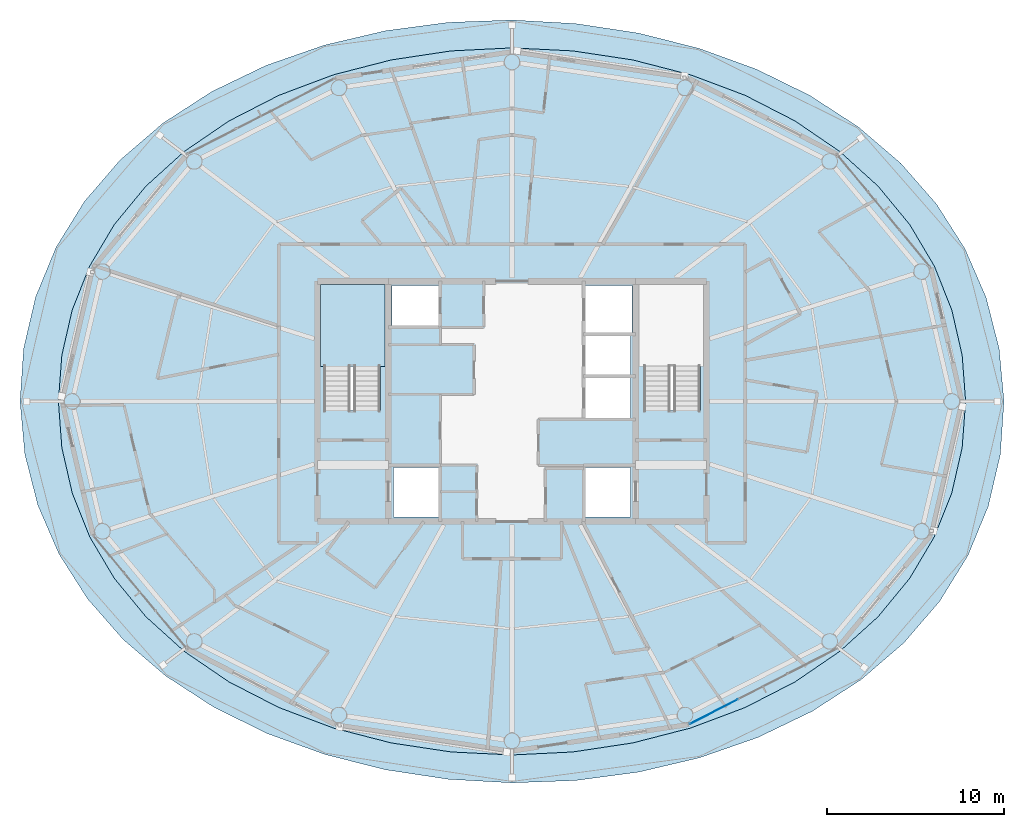
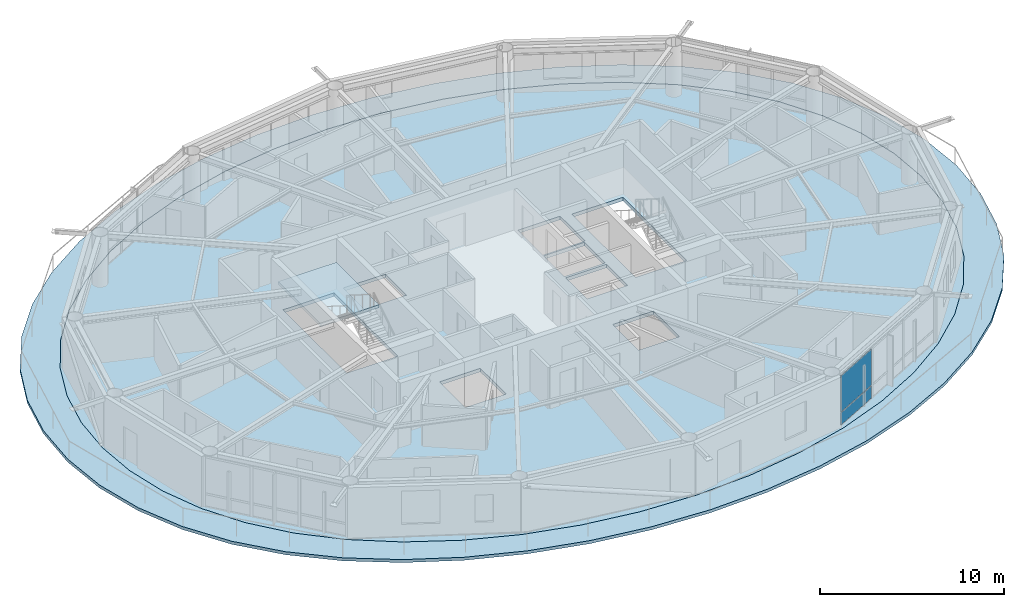
# One storey, part 13 of 22: 3 slabs, 2 plates, 2 elements without a shape of their own.
"""IFC4 building model written with IfcOpenShell, lengths in metres."""

from ifc_helpers import new_model, si_unit, direction, frame, origin, origin_2d, place, context, subcontext, project, spatial, polyline, rectangle, outline, extrude, material, layer, layer_set, type_object, element, aggregate, save


model = new_model("IFC4")

# Units and contexts
model_context = context("Model", 3, precision=1e-05, world=origin(), true_north=direction((0.0, 1.0)))
body_context = subcontext(model_context, "Body", "Model", "MODEL_VIEW")
ifc_project = project(units=[si_unit("LENGTHUNIT", "METRE"), si_unit("AREAUNIT", "SQUARE_METRE"), si_unit("VOLUMEUNIT", "CUBIC_METRE"), si_unit("PLANEANGLEUNIT", "RADIAN"), si_unit("MASSUNIT", "GRAM", prefix="KILO")], contexts=[model_context])

# Site, building, storey
site_placement = place(None, origin())
site = spatial("IfcSite", under=ifc_project, at=site_placement, CompositionType="ELEMENT")
building_placement = place(site_placement, origin())
building = spatial("IfcBuilding", under=site, at=building_placement, Name="Sarneth Arch Tower", CompositionType="ELEMENT")
storey_placement = place(building_placement, frame((0.0, 0.0, 298.199951171875)))
storey = spatial("IfcBuildingStorey", under=building, at=storey_placement, Name="L77", CompositionType="ELEMENT", Elevation=298.199951171875)

# Curtain wall, plates
ifc_material_1 = material(Name="Anodised aluminium Type AA25 and solar-control low-e laminated IGU", Category="aluminium")
ifc_layer_1 = layer(ifc_material_1, 0.179931640625)
ifc_layer_set_1 = layer_set([ifc_layer_1], Name="Anodised aluminium Type AA25 and solar-control low-e laminated IGU")
curtain_wall_type = type_object("IfcCurtainWallType", Name="CW-RES-HIGH", PredefinedType="NOTDEFINED", material=ifc_layer_set_1)
curtain_wall_placement = place(storey_placement, origin())
curtain_wall = element("IfcCurtainWall", 1, at=curtain_wall_placement, inside=storey, type_object=curtain_wall_type, Name="L77 Unitised curtain wall facet 14", PredefinedType="NOTDEFINED")
ifc_material_2 = material(Name="Solar-control low-e laminated IGU", Category="glass")
ifc_layer_2 = layer(ifc_material_2, 0.028076171875)
ifc_layer_set_2 = layer_set([ifc_layer_2], Name="Solar-control low-e laminated IGU")
plate_type = type_object("IfcPlateType", Name="CW-PANEL", PredefinedType="CURTAIN_PANEL", material=ifc_layer_set_2)
plate_1_placement = place(storey_placement, frame((59.4208984375, 24.447021484375, 0.06005859375), z_axis=(0.0, 0.0, 1.0), x_axis=(0.890009540525, 0.455941901753, 0.0)))
plate_1 = element("IfcPlate", 2, at=plate_1_placement, type_object=plate_type, Name="Curtain wall glazed vision pane CW-L77-F14/P00-00", PredefinedType="CURTAIN_PANEL", context=body_context, shape_type="SweptSolid", body=[
    extrude(rectangle(XDim=3.044677734375, YDim=0.028076171875, at=origin_2d()), origin(), (0.0, 0.0, 1.0), 0.81005859375),
])
plate_2_placement = place(storey_placement, frame((59.4208984375, 24.447021484375, 0.93017578125), z_axis=(0.0, 0.0, 1.0), x_axis=(0.890009540525, 0.455941901753, 0.0)))
plate_2 = element("IfcPlate", 3, at=plate_2_placement, type_object=plate_type, Name="Curtain wall glazed vision pane CW-L77-F14/P00-01", PredefinedType="CURTAIN_PANEL", context=body_context, shape_type="SweptSolid", body=[
    extrude(rectangle(XDim=3.044677734375, YDim=0.028076171875, at=origin_2d()), origin(), (0.0, 0.0, 1.0), 2.3798828125),
])
aggregate(curtain_wall, [plate_1, plate_2])

# Slab
ifc_material_3 = material(Name="Concrete C50/60", Category="concrete")
ifc_layer_3 = layer(ifc_material_3, 0.199951171875)
ifc_layer_set_3 = layer_set([ifc_layer_3], Name="Concrete C50/60")
slab_type_1 = type_object("IfcSlabType", Name="SLAB-BALC-200", PredefinedType="FLOOR", material=ifc_layer_set_3)
slab_1_placement = place(storey_placement, frame((0.0, 0.0, -0.199951171875)))
element("IfcSlab", 4, at=slab_1_placement, inside=storey, type_object=slab_type_1, Name="L77 Helical balcony band slab", PredefinedType="FLOOR", context=body_context, shape_type="SweptSolid", body=[
    extrude(outline(polyline([(75.832763671875, 42.0), (75.560546875, 44.984619140625), (74.8212890625, 47.880615234375), (73.6318359375, 50.624267578125), (72.012451171875, 53.168701171875), (69.986572265625, 55.48046875), (67.584716796875, 57.534912109375), (64.8466796875, 59.312744140625), (61.822021484375, 60.7978515625), (58.567138671875, 61.97705078125), (55.140625, 62.83935546875), (51.60009765625, 63.375244140625), (48.0, 63.578125), (44.39306640625, 63.443359375), (40.8330078125, 62.96875), (37.376953125, 62.155517578125), (34.08642578125, 61.0078125), (31.025390625, 59.53369140625), (28.25634765625, 57.74609375), (25.8349609375, 55.6630859375), (23.806640625, 53.308837890625), (22.204833984375, 50.71533203125), (21.054443359375, 47.925537109375), (20.3720703125, 44.99658203125), (20.167236328125, 42.0), (20.439453125, 39.015380859375), (21.1787109375, 36.119384765625), (22.3681640625, 33.375732421875), (23.987548828125, 30.831298828125), (26.013427734375, 28.51953125), (28.415283203125, 26.465087890625), (31.1533203125, 24.687255859375), (34.177978515625, 23.2021484375), (37.432861328125, 22.02294921875), (40.859375, 21.16064453125), (44.39990234375, 20.624755859375), (48.0, 20.421875), (51.60693359375, 20.556640625), (55.1669921875, 21.03125), (58.623046875, 21.844482421875), (61.91357421875, 22.9921875), (64.974609375, 24.46630859375), (67.74365234375, 26.25390625), (70.1650390625, 28.3369140625), (72.193359375, 30.691162109375), (73.795166015625, 33.28466796875), (74.945556640625, 36.074462890625), (75.6279296875, 39.00341796875), (75.832763671875, 42.0)]), holes=[polyline([(73.660888671875, 42.0), (73.466064453125, 44.610595703125), (72.87890625, 47.17626953125), (71.892822265625, 49.653564453125), (70.5029296875, 52.0), (68.712158203125, 54.17529296875), (66.536865234375, 56.14208984375), (64.009521484375, 57.8671875), (61.177001953125, 59.320556640625), (58.0966796875, 60.4775390625), (54.83203125, 61.318603515625), (51.44580078125, 61.828857421875), (48.0, 62.0), (44.55419921875, 61.828857421875), (41.16796875, 61.318603515625), (37.9033203125, 60.4775390625), (34.822998046875, 59.320556640625), (31.990478515625, 57.8671875), (29.463134765625, 56.14208984375), (27.287841796875, 54.17529296875), (25.4970703125, 52.0), (24.107177734375, 49.653564453125), (23.12109375, 47.17626953125), (22.533935546875, 44.610595703125), (22.339111328125, 42.0), (22.533935546875, 39.389404296875), (23.12109375, 36.82373046875), (24.107177734375, 34.346435546875), (25.4970703125, 32.0), (27.287841796875, 29.82470703125), (29.463134765625, 27.85791015625), (31.990478515625, 26.1328125), (34.822998046875, 24.679443359375), (37.9033203125, 23.5224609375), (41.16796875, 22.681396484375), (44.55419921875, 22.171142578125), (48.0, 22.0), (51.44580078125, 22.171142578125), (54.83203125, 22.681396484375), (58.0966796875, 23.5224609375), (61.177001953125, 24.679443359375), (64.009521484375, 26.1328125), (66.536865234375, 27.85791015625), (68.712158203125, 29.82470703125), (70.5029296875, 32.0), (71.892822265625, 34.346435546875), (72.87890625, 36.82373046875), (73.466064453125, 39.389404296875), (73.660888671875, 42.0)])]), origin(), (0.0, 0.0, 1.0), 0.199951171875),
])

# Stair, slab
ifc_material_4 = material(Name="Concrete C50/60", Category="concrete")
stair_type = type_object("IfcStairType", Name="STAIR-CORE-RC", PredefinedType="HALF_TURN_STAIR", material=ifc_material_4)
stair_placement = place(storey_placement, origin())
stair = element("IfcStair", 5, at=stair_placement, inside=storey, type_object=stair_type, Name="L77 Core Exit Stair 1", PredefinedType="HALF_TURN_STAIR")
ifc_material_5 = material(Name="Concrete C50/60", Category="concrete")
ifc_layer_4 = layer(ifc_material_5, 0.199951171875)
ifc_layer_set_4 = layer_set([ifc_layer_4], Name="Concrete C50/60")
slab_type_2 = type_object("IfcSlabType", Name="SLAB-LANDING-200", PredefinedType="LANDING", material=ifc_layer_set_4)
slab_2_placement = place(storey_placement, frame((0.0, 0.0, 1.60009765625)))
slab_2 = element("IfcSlab", 6, at=slab_2_placement, type_object=slab_type_2, Name="ST-1 landing 1", PredefinedType="LANDING", context=body_context, shape_type="SweptSolid", body=[
    extrude(outline(polyline([(37.175048828125, 43.985107421875), (40.824951171875, 43.985107421875), (40.824951171875, 48.625), (37.175048828125, 48.625), (37.175048828125, 43.985107421875)])), origin(), (0.0, 0.0, 1.0), 0.199951171875),
])
aggregate(stair, [slab_2])

# Slab
ifc_material_6 = material(Name="Concrete C50/60", Category="concrete")
ifc_layer_5 = layer(ifc_material_6, 0.22998046875)
ifc_layer_set_5 = layer_set([ifc_layer_5], Name="Concrete C50/60")
slab_type_3 = type_object("IfcSlabType", Name="SLAB-TOWER-230", PredefinedType="FLOOR", material=ifc_layer_set_5)
slab_3_placement = place(storey_placement, frame((0.0, 0.0, -0.22998046875)))
element("IfcSlab", 7, at=slab_3_placement, inside=storey, type_object=slab_type_3, Name="L77 Elliptical floor slab", PredefinedType="FLOOR", context=body_context, shape_type="SweptSolid", body=[
    extrude(outline(polyline([(73.660888671875, 42.0), (73.466064453125, 44.610595703125), (72.87890625, 47.17626953125), (71.892822265625, 49.653564453125), (70.5029296875, 52.0), (68.712158203125, 54.17529296875), (66.536865234375, 56.14208984375), (64.009521484375, 57.8671875), (61.177001953125, 59.320556640625), (58.0966796875, 60.4775390625), (54.83203125, 61.318603515625), (51.44580078125, 61.828857421875), (48.0, 62.0), (44.55419921875, 61.828857421875), (41.16796875, 61.318603515625), (37.9033203125, 60.4775390625), (34.822998046875, 59.320556640625), (31.990478515625, 57.8671875), (29.463134765625, 56.14208984375), (27.287841796875, 54.17529296875), (25.4970703125, 52.0), (24.107177734375, 49.653564453125), (23.12109375, 47.17626953125), (22.533935546875, 44.610595703125), (22.339111328125, 42.0), (22.533935546875, 39.389404296875), (23.12109375, 36.82373046875), (24.107177734375, 34.346435546875), (25.4970703125, 32.0), (27.287841796875, 29.82470703125), (29.463134765625, 27.85791015625), (31.990478515625, 26.1328125), (34.822998046875, 24.679443359375), (37.9033203125, 23.5224609375), (41.16796875, 22.681396484375), (44.55419921875, 22.171142578125), (48.0, 22.0), (51.44580078125, 22.171142578125), (54.83203125, 22.681396484375), (58.0966796875, 23.5224609375), (61.177001953125, 24.679443359375), (64.009521484375, 26.1328125), (66.536865234375, 27.85791015625), (68.712158203125, 29.82470703125), (70.5029296875, 32.0), (71.892822265625, 34.346435546875), (72.87890625, 36.82373046875), (73.466064453125, 39.389404296875), (73.660888671875, 42.0)]), holes=[polyline([(37.35009765625, 41.489990234375), (40.550048828125, 41.489990234375), (40.550048828125, 48.39990234375), (37.35009765625, 48.39990234375), (37.35009765625, 41.489990234375)]), polyline([(55.449951171875, 41.489990234375), (58.64990234375, 41.489990234375), (58.64990234375, 48.39990234375), (55.449951171875, 48.39990234375), (55.449951171875, 41.489990234375)]), polyline([(41.199951171875, 46.25), (43.85009765625, 46.25), (43.85009765625, 48.550048828125), (41.199951171875, 48.550048828125), (41.199951171875, 46.25)]), polyline([(41.300048828125, 35.449951171875), (43.85009765625, 35.449951171875), (43.85009765625, 38.25), (41.300048828125, 38.25), (41.300048828125, 35.449951171875)]), polyline([(52.14990234375, 35.449951171875), (54.699951171875, 35.449951171875), (54.699951171875, 38.25), (52.14990234375, 38.25), (52.14990234375, 35.449951171875)]), polyline([(52.14990234375, 45.85009765625), (54.800048828125, 45.85009765625), (54.800048828125, 48.550048828125), (52.14990234375, 48.550048828125), (52.14990234375, 45.85009765625)]), polyline([(52.14990234375, 41.050048828125), (54.699951171875, 41.050048828125), (54.699951171875, 43.35009765625), (52.14990234375, 43.35009765625), (52.14990234375, 41.050048828125)]), polyline([(52.14990234375, 43.5), (54.699951171875, 43.5), (54.699951171875, 45.75), (52.14990234375, 45.75), (52.14990234375, 43.5)])]), origin(), (0.0, 0.0, 1.0), 0.22998046875),
])

save(model, "model.ifc")
